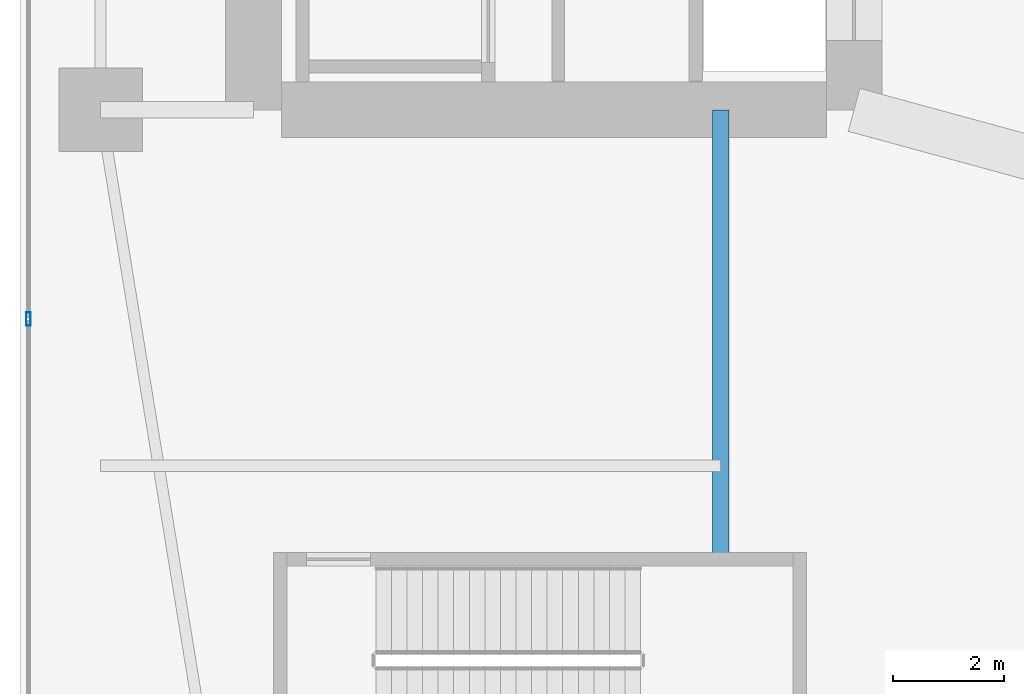
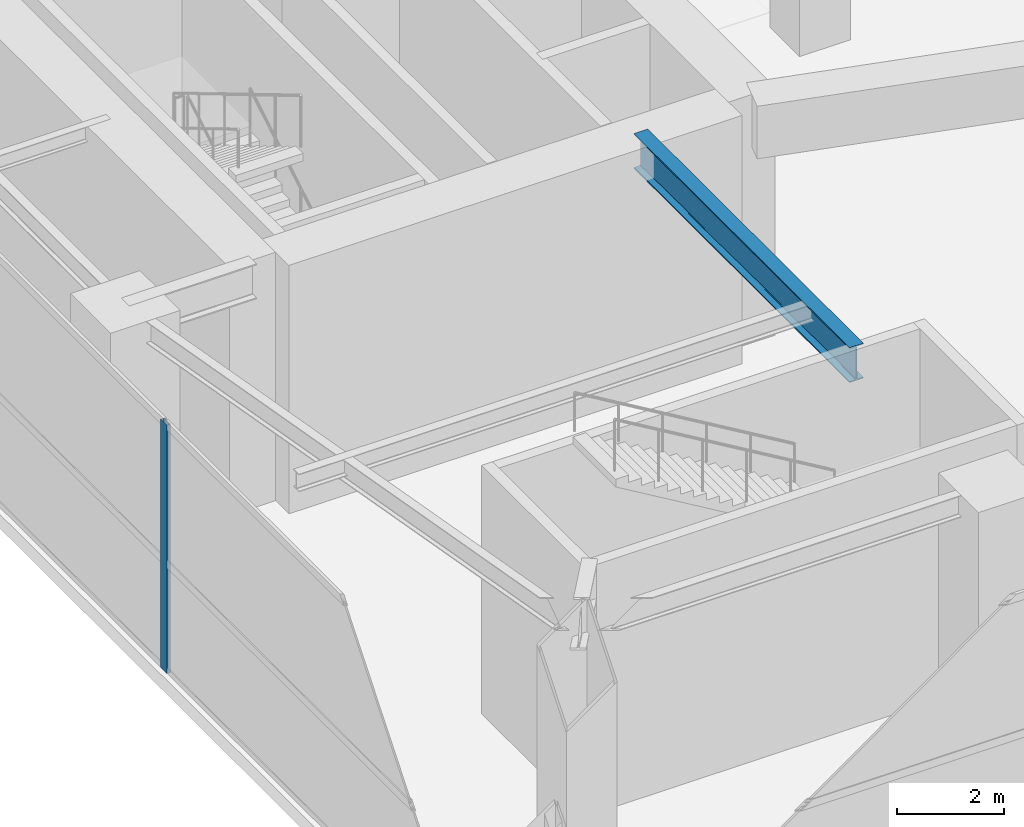
# One storey, part 6 of 35: 1 beam, 1 member, 1 element without a shape of its own.
"""IFC4 building model written with IfcOpenShell, lengths in metres."""

from ifc_helpers import new_model, si_unit, direction, frame, origin, origin_2d, place, context, subcontext, project, spatial, hollow_rectangle, i_section, extrude, material, layer, layer_set, material_profile, profile_set, type_object, element, aggregate, save


model = new_model("IFC4")

# Units and contexts
model_context = context("Model", 3, precision=1e-05, world=origin(), true_north=direction((0.0, 1.0)))
body_context = subcontext(model_context, "Body", "Model", "MODEL_VIEW")
ifc_project = project(units=[si_unit("LENGTHUNIT", "METRE"), si_unit("AREAUNIT", "SQUARE_METRE"), si_unit("VOLUMEUNIT", "CUBIC_METRE"), si_unit("PLANEANGLEUNIT", "RADIAN"), si_unit("MASSUNIT", "GRAM", prefix="KILO")], contexts=[model_context])

# Site, building, storey
site_placement = place(None, origin())
site = spatial("IfcSite", under=ifc_project, at=site_placement, CompositionType="ELEMENT")
building_placement = place(site_placement, origin())
building = spatial("IfcBuilding", under=site, at=building_placement, Name="Calvorn Quay Hotel", CompositionType="ELEMENT")
storey_placement = place(building_placement, frame((0.0, 0.0, 6.0)))
storey = spatial("IfcBuildingStorey", under=building, at=storey_placement, Name="L01", CompositionType="ELEMENT", Elevation=6.0)

# Beam
ifc_material_1 = material(Name="Steel Q390GJC", Category="steel")
ifc_material_profile_1 = material_profile(ifc_material_1, i_section(OverallWidth=0.300048828125, OverallDepth=0.800048828125, WebThickness=0.013916015625, FlangeThickness=0.02587890625, FilletRadius=0.02392578125, at=origin_2d()), Name="HN800x300x14x26")
ifc_profile_set_1 = profile_set([ifc_material_profile_1], Name="Steel Q390GJC")
beam_type = type_object("IfcBeamType", Name="BM-GIRD-POD", PredefinedType="BEAM", material=ifc_profile_set_1)
beam_placement = place(storey_placement, frame((12.60009765625, 8.719970703125, 5.280029296875), z_axis=(0.0, 1.0, 0.0), x_axis=(-1.0, 0.0, 0.0)))
element("IfcBeam", 1, at=beam_placement, inside=storey, type_object=beam_type, Name="Beam BG-L01-S1", PredefinedType="BEAM", context=body_context, shape_type="SweptSolid", body=[
    extrude(i_section(OverallWidth=0.300048828125, OverallDepth=0.800048828125, WebThickness=0.013916015625, FlangeThickness=0.02587890625, FilletRadius=0.02392578125, at=origin_2d()), origin(), (0.0, 0.0, 1.0), 8.080078125),
])

# Curtain wall, member
ifc_material_2 = material(Name="Pale Anodised Aluminium and Low-E Glass", Category="aluminium")
ifc_layer = layer(ifc_material_2, 0.219970703125)
ifc_layer_set = layer_set([ifc_layer], Name="CW-SYS-POD")
curtain_wall_type = type_object("IfcCurtainWallType", Name="CW-SYS-POD", PredefinedType="NOTDEFINED", material=ifc_layer_set)
curtain_wall_placement = place(storey_placement, origin())
curtain_wall = element("IfcCurtainWall", 2, at=curtain_wall_placement, inside=storey, type_object=curtain_wall_type, Name="Podium Curtain Wall L01-W1", PredefinedType="NOTDEFINED")
ifc_material_3 = material(Name="Pale Anodised Aluminium 6063-T6", Category="aluminium")
ifc_material_profile_2 = material_profile(ifc_material_3, hollow_rectangle(XDim=0.080078125, YDim=0.239990234375, WallThickness=0.0048828125, at=origin_2d()), Name="ALU-M240x80x5")
ifc_profile_set_2 = profile_set([ifc_material_profile_2], Name="Pale Anodised Aluminium 6063-T6")
member_type = type_object("IfcMemberType", Name="CW-SYS-POD-MUL", PredefinedType="MULLION", material=ifc_profile_set_2)
member_placement = place(storey_placement, frame((0.14990234375, 13.0400390625, 0.0), z_axis=(0.0, 0.0, 1.0), x_axis=(-1.0, 0.0, 0.0)))
member = element("IfcMember", 3, at=member_placement, type_object=member_type, Name="CW-L01-W1 mullion 2", PredefinedType="MULLION", context=body_context, shape_type="SweptSolid", body=[
    extrude(hollow_rectangle(XDim=0.080078125, YDim=0.239990234375, WallThickness=0.0048828125, at=origin_2d()), origin(), (0.0, 0.0, 1.0), 5.679931640625),
])
aggregate(curtain_wall, [member])

save(model, "model.ifc")
